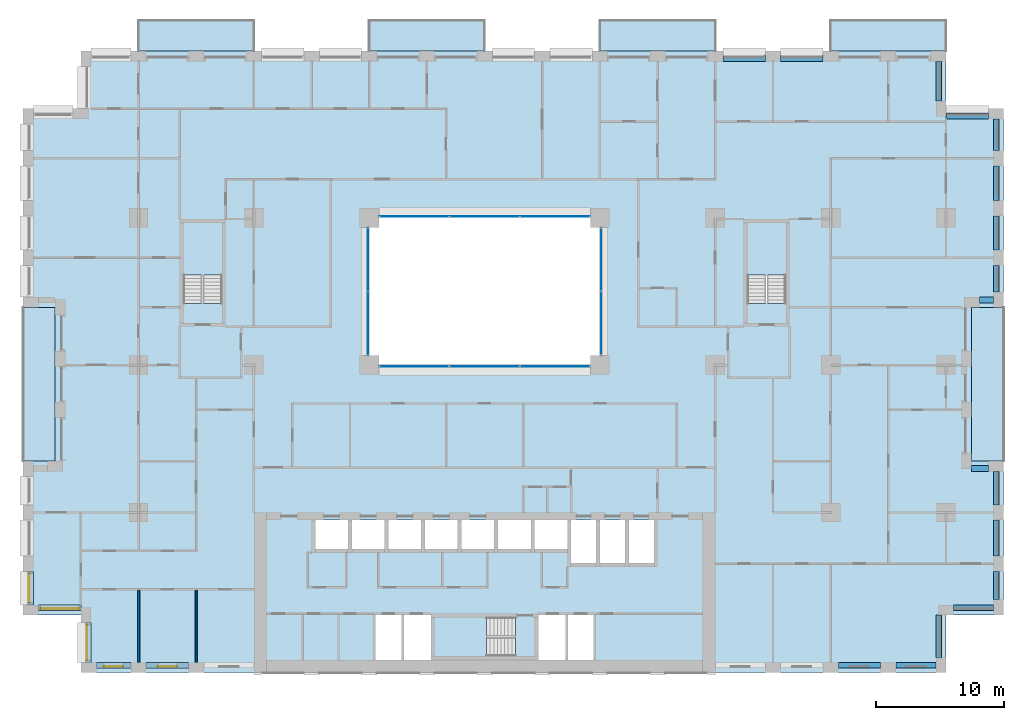
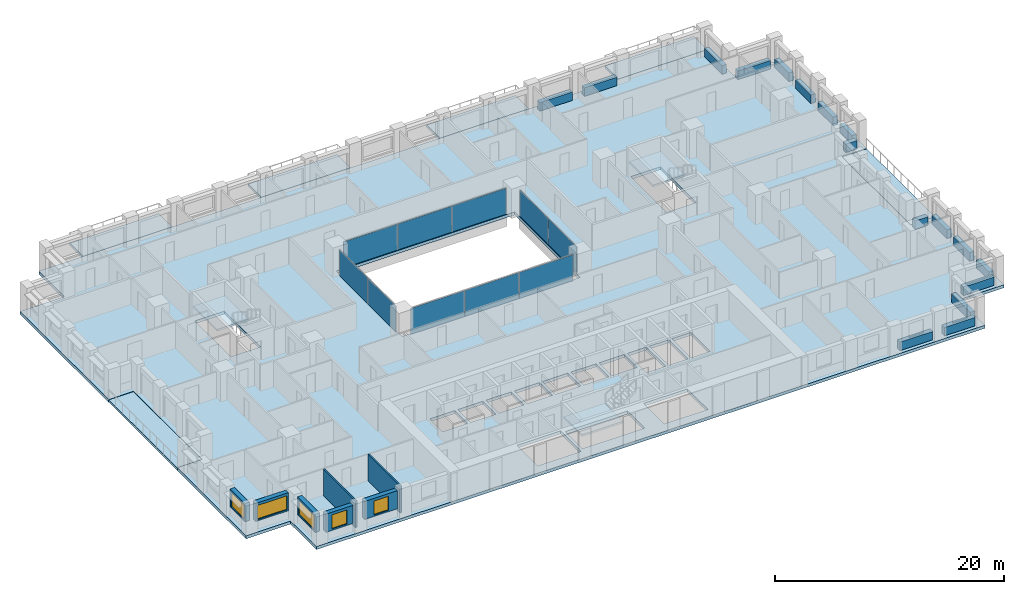
# One storey, part 8 of 20: 17 beams, 10 plates, 10 slabs, 7 walls, 5 windows, 5 openings, 7 elements without a shape of their own.
"""IFC4 building model written with IfcOpenShell, lengths in metres."""

from ifc_helpers import new_model, si_unit, direction, frame, frame_2d, origin, origin_2d, place, context, subcontext, project, spatial, polyline, rectangle, outline, extrude, material, layer, layer_set, material_profile, profile_set, type_object, element, fill, aggregate, save


model = new_model("IFC4")

# Units and contexts
model_context = context("Model", 3, precision=1e-05, world=origin(), true_north=direction((0.0, 1.0)))
body_context = subcontext(model_context, "Body", "Model", "MODEL_VIEW")
ifc_project = project(units=[si_unit("LENGTHUNIT", "METRE"), si_unit("AREAUNIT", "SQUARE_METRE"), si_unit("VOLUMEUNIT", "CUBIC_METRE"), si_unit("PLANEANGLEUNIT", "RADIAN"), si_unit("MASSUNIT", "GRAM", prefix="KILO")], contexts=[model_context])

# Site, building, storey
site_placement = place(None, origin())
site = spatial("IfcSite", under=ifc_project, at=site_placement, CompositionType="ELEMENT")
building_placement = place(site_placement, origin())
building = spatial("IfcBuilding", under=site, at=building_placement, Name="Brigalow Station Residences", CompositionType="ELEMENT")
storey_placement = place(building_placement, frame((0.0, 0.0, 54.14990234375)))
storey = spatial("IfcBuildingStorey", under=building, at=storey_placement, Name="L15", CompositionType="ELEMENT", Elevation=54.14990234375)

# Beams
ifc_material_1 = material(Name="Concrete C65", Category="concrete")
ifc_material_profile = material_profile(ifc_material_1, rectangle(XDim=0.449951171875, YDim=0.89990234375, at=origin_2d()), Name="RC450x900")
ifc_profile_set = profile_set([ifc_material_profile], Name="Concrete C65")
beam_type = type_object("IfcBeamType", Name="SPANDREL BEAM 450x900 C65", PredefinedType="SPANDREL", material=ifc_profile_set)
beam_1_placement = place(storey_placement, frame((63.60009765625, 0.574951171875, 0.4501953125), z_axis=(1.0, 0.0, 0.0), x_axis=(0.0, 1.0, 0.0)))
element("IfcBeam", 1, at=beam_1_placement, inside=storey, type_object=beam_type, Name="L15/spandrel/W-L15-7", PredefinedType="SPANDREL", context=body_context, shape_type="SweptSolid", body=[
    extrude(rectangle(XDim=0.449951171875, YDim=0.89990234375, at=origin_2d()), origin(), (0.0, 0.0, 1.0), 3.2998046875),
])
beam_2_placement = place(storey_placement, frame((68.10009765625, 0.574951171875, 0.4501953125), z_axis=(1.0, 0.0, 0.0), x_axis=(0.0, 1.0, 0.0)))
element("IfcBeam", 2, at=beam_2_placement, inside=storey, type_object=beam_type, Name="L15/spandrel/W-L15-8", PredefinedType="SPANDREL", context=body_context, shape_type="SweptSolid", body=[
    extrude(rectangle(XDim=0.449951171875, YDim=0.89990234375, at=origin_2d()), origin(), (0.0, 0.0, 1.0), 3.099853515625),
])
beam_3_placement = place(storey_placement, frame((71.425048828125, 1.199951171875, 0.4501953125), z_axis=(0.0, 1.0, 0.0), x_axis=(-1.0, 0.0, 0.0)))
element("IfcBeam", 3, at=beam_3_placement, inside=storey, type_object=beam_type, Name="L15/spandrel/W-L15-9", PredefinedType="SPANDREL", context=body_context, shape_type="SweptSolid", body=[
    extrude(rectangle(XDim=0.449951171875, YDim=0.89990234375, at=origin_2d()), origin(), (0.0, 0.0, 1.0), 3.300048828125),
])
beam_4_placement = place(storey_placement, frame((72.60009765625, 5.074951171875, 0.4501953125), z_axis=(1.0, 0.0, 0.0), x_axis=(0.0, 1.0, 0.0)))
element("IfcBeam", 4, at=beam_4_placement, inside=storey, type_object=beam_type, Name="L15/spandrel/W-L15-10", PredefinedType="SPANDREL", context=body_context, shape_type="SweptSolid", body=[
    extrude(rectangle(XDim=0.449951171875, YDim=0.89990234375, at=origin_2d()), origin(), (0.0, 0.0, 1.0), 3.099853515625),
])
beam_5_placement = place(storey_placement, frame((75.925048828125, 5.699951171875, 0.4501953125), z_axis=(0.0, 1.0, 0.0), x_axis=(-1.0, 0.0, 0.0)))
element("IfcBeam", 5, at=beam_5_placement, inside=storey, type_object=beam_type, Name="L15/spandrel/W-L15-11", PredefinedType="SPANDREL", context=body_context, shape_type="SweptSolid", body=[
    extrude(rectangle(XDim=0.449951171875, YDim=0.89990234375, at=origin_2d()), origin(), (0.0, 0.0, 1.0), 2.199951171875),
])
beam_6_placement = place(storey_placement, frame((75.925048828125, 9.10009765625, 0.4501953125), z_axis=(0.0, 1.0, 0.0), x_axis=(-1.0, 0.0, 0.0)))
element("IfcBeam", 6, at=beam_6_placement, inside=storey, type_object=beam_type, Name="L15/spandrel/W-L15-12", PredefinedType="SPANDREL", context=body_context, shape_type="SweptSolid", body=[
    extrude(rectangle(XDim=0.449951171875, YDim=0.89990234375, at=origin_2d()), origin(), (0.0, 0.0, 1.0), 2.7998046875),
])
beam_7_placement = place(storey_placement, frame((75.925048828125, 13.10009765625, 0.4501953125), z_axis=(0.0, 1.0, 0.0), x_axis=(-1.0, 0.0, 0.0)))
element("IfcBeam", 7, at=beam_7_placement, inside=storey, type_object=beam_type, Name="L15/spandrel/W-L15-13", PredefinedType="SPANDREL", context=body_context, shape_type="SweptSolid", body=[
    extrude(rectangle(XDim=0.449951171875, YDim=0.89990234375, at=origin_2d()), origin(), (0.0, 0.0, 1.0), 2.599853515625),
])
beam_8_placement = place(storey_placement, frame((75.300048828125, 15.925048828125, 0.4501953125), z_axis=(-1.0, 0.0, 0.0), x_axis=(0.0, -1.0, 0.0)))
element("IfcBeam", 8, at=beam_8_placement, inside=storey, type_object=beam_type, Name="L15/spandrel/W-L15-14", PredefinedType="SPANDREL", context=body_context, shape_type="SweptSolid", body=[
    extrude(rectangle(XDim=0.449951171875, YDim=0.89990234375, at=origin_2d()), origin(), (0.0, 0.0, 1.0), 1.300048828125),
])
beam_9_placement = place(storey_placement, frame((74.60009765625, 29.074951171875, 0.4501953125), z_axis=(1.0, 0.0, 0.0), x_axis=(0.0, 1.0, 0.0)))
element("IfcBeam", 9, at=beam_9_placement, inside=storey, type_object=beam_type, Name="L15/spandrel/W-L15-18", PredefinedType="SPANDREL", context=body_context, shape_type="SweptSolid", body=[
    extrude(rectangle(XDim=0.449951171875, YDim=0.89990234375, at=origin_2d()), origin(), (0.0, 0.0, 1.0), 1.099853515625),
])
beam_10_placement = place(storey_placement, frame((75.925048828125, 29.699951171875, 0.4501953125), z_axis=(0.0, 1.0, 0.0), x_axis=(-1.0, 0.0, 0.0)))
element("IfcBeam", 10, at=beam_10_placement, inside=storey, type_object=beam_type, Name="L15/spandrel/W-L15-19", PredefinedType="SPANDREL", context=body_context, shape_type="SweptSolid", body=[
    extrude(rectangle(XDim=0.449951171875, YDim=0.89990234375, at=origin_2d()), origin(), (0.0, 0.0, 1.0), 2.074951171875),
])
for number, where, z_axis, x_axis, name in (
    (11, (75.925048828125, 32.97509765625, 0.4501953125), (0.0, 1.0, 0.0), (-1.0, 0.0, 0.0), "L15/spandrel/W-L15-20"),
    (12, (75.925048828125, 36.85009765625, 0.4501953125), (0.0, 1.0, 0.0), (-1.0, 0.0, 0.0), "L15/spandrel/W-L15-21"),
):
    element("IfcBeam", number, at=place(storey_placement, frame(where, z_axis=z_axis, x_axis=x_axis)), inside=storey, type_object=beam_type, Name=name, PredefinedType="SPANDREL", context=body_context, shape_type="SweptSolid", body=[
        extrude(rectangle(XDim=0.449951171875, YDim=0.89990234375, at=origin_2d()), origin(), (0.0, 0.0, 1.0), 2.6748046875),
    ])
beam_11_placement = place(storey_placement, frame((75.925048828125, 40.72509765625, 0.4501953125), z_axis=(0.0, 1.0, 0.0), x_axis=(-1.0, 0.0, 0.0)))
element("IfcBeam", 13, at=beam_11_placement, inside=storey, type_object=beam_type, Name="L15/spandrel/W-L15-22", PredefinedType="SPANDREL", context=body_context, shape_type="SweptSolid", body=[
    extrude(rectangle(XDim=0.449951171875, YDim=0.89990234375, at=origin_2d()), origin(), (0.0, 0.0, 1.0), 2.474853515625),
])
beam_12_placement = place(storey_placement, frame((75.300048828125, 43.425048828125, 0.4501953125), z_axis=(-1.0, 0.0, 0.0), x_axis=(0.0, -1.0, 0.0)))
element("IfcBeam", 14, at=beam_12_placement, inside=storey, type_object=beam_type, Name="L15/spandrel/W-L15-23", PredefinedType="SPANDREL", context=body_context, shape_type="SweptSolid", body=[
    extrude(rectangle(XDim=0.449951171875, YDim=0.89990234375, at=origin_2d()), origin(), (0.0, 0.0, 1.0), 3.300048828125),
])
beam_13_placement = place(storey_placement, frame((71.425048828125, 44.60009765625, 0.4501953125), z_axis=(0.0, 1.0, 0.0), x_axis=(-1.0, 0.0, 0.0)))
element("IfcBeam", 15, at=beam_13_placement, inside=storey, type_object=beam_type, Name="L15/spandrel/W-L15-24", PredefinedType="SPANDREL", context=body_context, shape_type="SweptSolid", body=[
    extrude(rectangle(XDim=0.449951171875, YDim=0.89990234375, at=origin_2d()), origin(), (0.0, 0.0, 1.0), 3.099853515625),
])
for number, where, z_axis, x_axis, name in (
    (16, (62.39990234375, 47.925048828125, 0.4501953125), (-1.0, 0.0, 0.0), (0.0, -1.0, 0.0), "L15/spandrel/W-L15-27"),
    (17, (57.89990234375, 47.925048828125, 0.4501953125), (-1.0, 0.0, 0.0), (0.0, -1.0, 0.0), "L15/spandrel/W-L15-28"),
):
    element("IfcBeam", number, at=place(storey_placement, frame(where, z_axis=z_axis, x_axis=x_axis)), inside=storey, type_object=beam_type, Name=name, PredefinedType="SPANDREL", context=body_context, shape_type="SweptSolid", body=[
        extrude(rectangle(XDim=0.449951171875, YDim=0.89990234375, at=origin_2d()), origin(), (0.0, 0.0, 1.0), 3.2998046875),
    ])

# Curtain wall, plates
ifc_material_2 = material(Name="Aluminium", Category="aluminium")
ifc_layer_1 = layer(ifc_material_2, 0.14990234375)
ifc_layer_set_1 = layer_set([ifc_layer_1], Name="ATRIUM FIRE-RATED GLAZING CURTAIN WALL")
curtain_wall_type = type_object("IfcCurtainWallType", Name="ATRIUM FIRE-RATED GLAZING CURTAIN WALL", PredefinedType="NOTDEFINED", material=ifc_layer_set_1)
curtain_wall_1_placement = place(storey_placement, origin())
curtain_wall_1 = element("IfcCurtainWall", 18, at=curtain_wall_1_placement, inside=storey, type_object=curtain_wall_type, Name="L15/cw/atrium-S", PredefinedType="NOTDEFINED")
ifc_material_3 = material(Name="Fire-resisting laminated glazing, FRL -/60/-", Category="glass")
ifc_layer_2 = layer(ifc_material_3, 0.031982421875)
ifc_layer_set_2 = layer_set([ifc_layer_2], Name="ATRIUM FIRE-RATED GLAZING PANEL 32")
plate_type = type_object("IfcPlateType", Name="ATRIUM FIRE-RATED GLAZING PANEL 32", PredefinedType="CURTAIN_PANEL", material=ifc_layer_set_2)
plate_1_placement = place(storey_placement, frame((30.514892578125, 23.89990234375, 0.0), z_axis=(0.0, 0.0, 1.0), x_axis=(1.0, 0.0, 0.0)))
plate_1 = element("IfcPlate", 19, at=plate_1_placement, type_object=plate_type, Name="L15/cw/atrium-S/P00-00", PredefinedType="CURTAIN_PANEL", context=body_context, shape_type="SweptSolid", body=[
    extrude(rectangle(XDim=5.409912109375, YDim=0.031982421875, at=origin_2d()), origin(), (0.0, 0.0, 1.0), 2.77001953125),
])
plate_2_placement = place(storey_placement, frame((36.0, 23.89990234375, 0.0), z_axis=(0.0, 0.0, 1.0), x_axis=(1.0, 0.0, 0.0)))
plate_2 = element("IfcPlate", 20, at=plate_2_placement, type_object=plate_type, Name="L15/cw/atrium-S/P01-00", PredefinedType="CURTAIN_PANEL", context=body_context, shape_type="SweptSolid", body=[
    extrude(rectangle(XDim=5.43994140625, YDim=0.031982421875, at=origin_2d()), origin(), (0.0, 0.0, 1.0), 2.77001953125),
])
plate_3_placement = place(storey_placement, frame((41.485107421875, 23.89990234375, 0.0), z_axis=(0.0, 0.0, 1.0), x_axis=(1.0, 0.0, 0.0)))
plate_3 = element("IfcPlate", 21, at=plate_3_placement, type_object=plate_type, Name="L15/cw/atrium-S/P02-00", PredefinedType="CURTAIN_PANEL", context=body_context, shape_type="SweptSolid", body=[
    extrude(rectangle(XDim=5.409912109375, YDim=0.031982421875, at=origin_2d()), origin(), (0.0, 0.0, 1.0), 2.77001953125),
])
aggregate(curtain_wall_1, [plate_1, plate_2, plate_3])

curtain_wall_2_placement = place(storey_placement, origin())
curtain_wall_2 = element("IfcCurtainWall", 22, at=curtain_wall_2_placement, inside=storey, type_object=curtain_wall_type, Name="L15/cw/atrium-E", PredefinedType="NOTDEFINED")
plate_4_placement = place(storey_placement, frame((45.10009765625, 27.264892578125, 0.0), z_axis=(0.0, 0.0, 1.0), x_axis=(0.0, 1.0, 0.0)))
plate_4 = element("IfcPlate", 23, at=plate_4_placement, type_object=plate_type, Name="L15/cw/atrium-E/P00-00", PredefinedType="CURTAIN_PANEL", context=body_context, shape_type="SweptSolid", body=[
    extrude(rectangle(XDim=4.909912109375, YDim=0.031982421875, at=origin_2d()), origin(), (0.0, 0.0, 1.0), 2.77001953125),
])
plate_5_placement = place(storey_placement, frame((45.10009765625, 32.235107421875, 0.0), z_axis=(0.0, 0.0, 1.0), x_axis=(0.0, 1.0, 0.0)))
plate_5 = element("IfcPlate", 24, at=plate_5_placement, type_object=plate_type, Name="L15/cw/atrium-E/P01-00", PredefinedType="CURTAIN_PANEL", context=body_context, shape_type="SweptSolid", body=[
    extrude(rectangle(XDim=4.909912109375, YDim=0.031982421875, at=origin_2d()), origin(), (0.0, 0.0, 1.0), 2.77001953125),
])
aggregate(curtain_wall_2, [plate_4, plate_5])

curtain_wall_3_placement = place(storey_placement, origin())
curtain_wall_3 = element("IfcCurtainWall", 25, at=curtain_wall_3_placement, inside=storey, type_object=curtain_wall_type, Name="L15/cw/atrium-N", PredefinedType="NOTDEFINED")
plate_6_placement = place(storey_placement, frame((41.485107421875, 35.60009765625, 0.0), z_axis=(0.0, 0.0, 1.0), x_axis=(-1.0, 0.0, 0.0)))
plate_6 = element("IfcPlate", 26, at=plate_6_placement, type_object=plate_type, Name="L15/cw/atrium-N/P00-00", PredefinedType="CURTAIN_PANEL", context=body_context, shape_type="SweptSolid", body=[
    extrude(rectangle(XDim=5.409912109375, YDim=0.031982421875, at=origin_2d()), origin(), (0.0, 0.0, 1.0), 2.77001953125),
])
plate_7_placement = place(storey_placement, frame((36.0, 35.60009765625, 0.0), z_axis=(0.0, 0.0, 1.0), x_axis=(-1.0, 0.0, 0.0)))
plate_7 = element("IfcPlate", 27, at=plate_7_placement, type_object=plate_type, Name="L15/cw/atrium-N/P01-00", PredefinedType="CURTAIN_PANEL", context=body_context, shape_type="SweptSolid", body=[
    extrude(rectangle(XDim=5.43994140625, YDim=0.031982421875, at=origin_2d()), origin(), (0.0, 0.0, 1.0), 2.77001953125),
])
plate_8_placement = place(storey_placement, frame((30.514892578125, 35.60009765625, 0.0), z_axis=(0.0, 0.0, 1.0), x_axis=(-1.0, 0.0, 0.0)))
plate_8 = element("IfcPlate", 28, at=plate_8_placement, type_object=plate_type, Name="L15/cw/atrium-N/P02-00", PredefinedType="CURTAIN_PANEL", context=body_context, shape_type="SweptSolid", body=[
    extrude(rectangle(XDim=5.409912109375, YDim=0.031982421875, at=origin_2d()), origin(), (0.0, 0.0, 1.0), 2.77001953125),
])
aggregate(curtain_wall_3, [plate_6, plate_7, plate_8])

curtain_wall_4_placement = place(storey_placement, origin())
curtain_wall_4 = element("IfcCurtainWall", 29, at=curtain_wall_4_placement, inside=storey, type_object=curtain_wall_type, Name="L15/cw/atrium-W", PredefinedType="NOTDEFINED")
plate_9_placement = place(storey_placement, frame((26.89990234375, 32.235107421875, 0.0), z_axis=(0.0, 0.0, 1.0), x_axis=(0.0, -1.0, 0.0)))
plate_9 = element("IfcPlate", 30, at=plate_9_placement, type_object=plate_type, Name="L15/cw/atrium-W/P00-00", PredefinedType="CURTAIN_PANEL", context=body_context, shape_type="SweptSolid", body=[
    extrude(rectangle(XDim=4.909912109375, YDim=0.031982421875, at=origin_2d()), origin(), (0.0, 0.0, 1.0), 2.77001953125),
])
plate_10_placement = place(storey_placement, frame((26.89990234375, 27.264892578125, 0.0), z_axis=(0.0, 0.0, 1.0), x_axis=(0.0, -1.0, 0.0)))
plate_10 = element("IfcPlate", 31, at=plate_10_placement, type_object=plate_type, Name="L15/cw/atrium-W/P01-00", PredefinedType="CURTAIN_PANEL", context=body_context, shape_type="SweptSolid", body=[
    extrude(rectangle(XDim=4.909912109375, YDim=0.031982421875, at=origin_2d()), origin(), (0.0, 0.0, 1.0), 2.77001953125),
])
aggregate(curtain_wall_4, [plate_9, plate_10])

# Slabs
ifc_material_4 = material(Name="Concrete C50 precast", Category="concrete")
ifc_layer_3 = layer(ifc_material_4, 0.25)
ifc_layer_set_3 = layer_set([ifc_layer_3], Name="BALCONY SLAB 250")
slab_type_1 = type_object("IfcSlabType", Name="BALCONY SLAB 250", PredefinedType="USERDEFINED", material=ifc_layer_set_3)
slab_1_placement = place(storey_placement, frame((0.0, 0.0, -0.289794921875)))
element("IfcSlab", 32, at=slab_1_placement, inside=storey, type_object=slab_type_1, Name="L15/balcony/1", ObjectType="BALCONY", PredefinedType="USERDEFINED", context=body_context, shape_type="SweptSolid", body=[
    extrude(outline(polyline([(74.0, 16.5), (76.5, 16.5), (76.5, 28.5), (74.0, 28.5), (74.0, 16.5)])), origin(), (0.0, 0.0, 1.0), 0.25),
])
slab_2_placement = place(storey_placement, frame((0.0, 0.0, -0.289794921875)))
element("IfcSlab", 33, at=slab_2_placement, inside=storey, type_object=slab_type_1, Name="L15/balcony/2", ObjectType="BALCONY", PredefinedType="USERDEFINED", context=body_context, shape_type="SweptSolid", body=[
    extrude(outline(polyline([(72.0, 48.5), (72.0, 50.89990234375), (63.0, 50.89990234375), (63.0, 48.5), (72.0, 48.5)])), origin(), (0.0, 0.0, 1.0), 0.25),
])
slab_3_placement = place(storey_placement, frame((0.0, 0.0, -0.289794921875)))
element("IfcSlab", 34, at=slab_3_placement, inside=storey, type_object=slab_type_1, Name="L15/balcony/3", ObjectType="BALCONY", PredefinedType="USERDEFINED", context=body_context, shape_type="SweptSolid", body=[
    extrude(outline(polyline([(54.0, 48.5), (54.0, 50.89990234375), (45.0, 50.89990234375), (45.0, 48.5), (54.0, 48.5)])), origin(), (0.0, 0.0, 1.0), 0.25),
])
slab_4_placement = place(storey_placement, frame((0.0, 0.0, -0.289794921875)))
element("IfcSlab", 35, at=slab_4_placement, inside=storey, type_object=slab_type_1, Name="L15/balcony/4", ObjectType="BALCONY", PredefinedType="USERDEFINED", context=body_context, shape_type="SweptSolid", body=[
    extrude(outline(polyline([(36.0, 48.5), (36.0, 50.89990234375), (27.0, 50.89990234375), (27.0, 48.5), (36.0, 48.5)])), origin(), (0.0, 0.0, 1.0), 0.25),
])
slab_5_placement = place(storey_placement, frame((0.0, 0.0, -0.289794921875)))
element("IfcSlab", 36, at=slab_5_placement, inside=storey, type_object=slab_type_1, Name="L15/balcony/5", ObjectType="BALCONY", PredefinedType="USERDEFINED", context=body_context, shape_type="SweptSolid", body=[
    extrude(outline(polyline([(18.0, 48.5), (18.0, 50.89990234375), (9.0, 50.89990234375), (9.0, 48.5), (18.0, 48.5)])), origin(), (0.0, 0.0, 1.0), 0.25),
])
slab_6_placement = place(storey_placement, frame((0.0, 0.0, -0.289794921875)))
element("IfcSlab", 37, at=slab_6_placement, inside=storey, type_object=slab_type_1, Name="L15/balcony/6", ObjectType="BALCONY", PredefinedType="USERDEFINED", context=body_context, shape_type="SweptSolid", body=[
    extrude(outline(polyline([(2.5, 28.5), (0.0, 28.5), (0.0, 16.5), (2.5, 16.5), (2.5, 28.5)])), origin(), (0.0, 0.0, 1.0), 0.25),
])
ifc_material_5 = material(Name="Concrete C50", Category="concrete")
ifc_layer_4 = layer(ifc_material_5, 0.320068359375)
ifc_layer_set_4 = layer_set([ifc_layer_4], Name="POST-TENSIONED FLAT PLATE 320 C50")
slab_type_2 = type_object("IfcSlabType", Name="POST-TENSIONED FLAT PLATE 320 C50", PredefinedType="FLOOR", material=ifc_layer_set_4)
slab_7_placement = place(storey_placement, frame((0.0, 0.0, -0.31982421875)))
element("IfcSlab", 38, at=slab_7_placement, inside=storey, type_object=slab_type_2, Name="FLOOR SLAB L15", PredefinedType="FLOOR", context=body_context, shape_type="SweptSolid", body=[
    extrude(outline(polyline([(4.5, 0.0), (72.0, 0.0), (72.0, 4.5), (76.5, 4.5), (76.5, 16.5), (74.0, 16.5), (74.0, 28.5), (76.5, 28.5), (76.5, 44.0), (72.0, 44.0), (72.0, 48.5), (4.5, 48.5), (4.5, 44.0), (0.0, 44.0), (0.0, 28.5), (2.5, 28.5), (2.5, 16.5), (0.0, 16.5), (0.0, 4.5), (4.5, 4.5), (4.5, 0.0)]), holes=[polyline([(15.4951171875, 35.094970703125), (15.4951171875, 28.804931640625), (12.5048828125, 28.804931640625), (12.5048828125, 35.094970703125), (15.4951171875, 35.094970703125)]), polyline([(22.800048828125, 11.89990234375), (25.35009765625, 11.89990234375), (25.35009765625, 9.64990234375), (22.800048828125, 9.64990234375), (22.800048828125, 11.89990234375)]), polyline([(25.64990234375, 11.89990234375), (28.199951171875, 11.89990234375), (28.199951171875, 9.64990234375), (25.64990234375, 9.64990234375), (25.64990234375, 11.89990234375)]), polyline([(28.5, 11.89990234375), (31.050048828125, 11.89990234375), (31.050048828125, 9.64990234375), (28.5, 9.64990234375), (28.5, 11.89990234375)]), polyline([(29.60009765625, 1.0), (27.39990234375, 1.0), (27.39990234375, 4.60009765625), (29.60009765625, 4.60009765625), (31.800048828125, 4.60009765625), (31.800048828125, 1.0), (29.60009765625, 1.0)]), polyline([(31.35009765625, 11.89990234375), (33.89990234375, 11.89990234375), (33.89990234375, 9.64990234375), (31.35009765625, 9.64990234375), (31.35009765625, 11.89990234375)]), polyline([(32.10498046875, 4.294921875), (38.39501953125, 4.294921875), (38.39501953125, 1.304931640625), (32.10498046875, 1.304931640625), (32.10498046875, 4.294921875)]), polyline([(36.75, 11.89990234375), (36.75, 9.64990234375), (34.199951171875, 9.64990234375), (34.199951171875, 11.89990234375), (36.75, 11.89990234375)]), polyline([(37.050048828125, 11.89990234375), (39.60009765625, 11.89990234375), (39.60009765625, 9.64990234375), (37.050048828125, 9.64990234375), (37.050048828125, 11.89990234375)]), polyline([(39.89990234375, 11.89990234375), (42.449951171875, 11.89990234375), (42.449951171875, 9.64990234375), (39.89990234375, 9.64990234375), (39.89990234375, 11.89990234375)]), polyline([(42.39990234375, 1.0), (40.199951171875, 1.0), (40.199951171875, 4.60009765625), (42.39990234375, 4.60009765625), (44.60009765625, 4.60009765625), (44.60009765625, 1.0), (42.39990234375, 1.0)]), polyline([(42.75, 11.89990234375), (44.699951171875, 11.89990234375), (44.699951171875, 8.550048828125), (42.75, 8.550048828125), (42.75, 11.89990234375)]), polyline([(45.0, 11.89990234375), (46.949951171875, 11.89990234375), (46.949951171875, 8.550048828125), (45.0, 8.550048828125), (45.0, 11.89990234375)]), polyline([(45.0, 35.5), (45.0, 24.0), (27.0, 24.0), (27.0, 35.5), (45.0, 35.5)]), polyline([(47.25, 11.89990234375), (49.199951171875, 11.89990234375), (49.199951171875, 8.550048828125), (47.25, 8.550048828125), (47.25, 11.89990234375)]), polyline([(59.4951171875, 35.094970703125), (59.4951171875, 28.804931640625), (56.5048828125, 28.804931640625), (56.5048828125, 35.094970703125), (59.4951171875, 35.094970703125)])]), origin(), (0.0, 0.0, 1.0), 0.31982421875),
])

# Stair, slab
ifc_material_6 = material(Name="Concrete C50", Category="concrete")
stair_type = type_object("IfcStairType", Name="EXIT STAIR 1400 2 FLIGHT", PredefinedType="HALF_TURN_STAIR", material=ifc_material_6)
stair_1_placement = place(storey_placement, origin())
stair_1 = element("IfcStair", 39, at=stair_1_placement, inside=storey, type_object=stair_type, Name="EXIT STAIR S2 L15", PredefinedType="HALF_TURN_STAIR")
ifc_material_7 = material(Name="Concrete C50", Category="concrete")
ifc_layer_5 = layer(ifc_material_7, 0.199951171875)
ifc_layer_set_5 = layer_set([ifc_layer_5], Name="STAIR LANDING 200")
slab_type_3 = type_object("IfcSlabType", Name="STAIR LANDING 200", PredefinedType="LANDING", material=ifc_layer_set_5)
slab_8_placement = place(storey_placement, frame((0.0, 0.0, 1.375)))
slab_8 = element("IfcSlab", 40, at=slab_8_placement, type_object=slab_type_3, Name="ST-2 landing 1", PredefinedType="LANDING", context=body_context, shape_type="SweptSolid", body=[
    extrude(outline(polyline([(32.0, 1.199951171875), (36.159912109375, 1.199951171875), (36.159912109375, 4.39990234375), (32.0, 4.39990234375), (32.0, 1.199951171875)])), origin(), (0.0, 0.0, 1.0), 0.2001953125),
])
aggregate(stair_1, [slab_8])

stair_2_placement = place(storey_placement, origin())
stair_2 = element("IfcStair", 41, at=stair_2_placement, inside=storey, type_object=stair_type, Name="EXIT STAIR S1 L15", PredefinedType="HALF_TURN_STAIR")
slab_9_placement = place(storey_placement, frame((0.0, 0.0, 1.375)))
slab_9 = element("IfcSlab", 42, at=slab_9_placement, type_object=slab_type_3, Name="ST-1 landing 1", PredefinedType="LANDING", context=body_context, shape_type="SweptSolid", body=[
    extrude(outline(polyline([(12.39990234375, 31.0400390625), (15.60009765625, 31.0400390625), (15.60009765625, 35.199951171875), (12.39990234375, 35.199951171875), (12.39990234375, 31.0400390625)])), origin(), (0.0, 0.0, 1.0), 0.2001953125),
])
aggregate(stair_2, [slab_9])

stair_3_placement = place(storey_placement, origin())
stair_3 = element("IfcStair", 43, at=stair_3_placement, inside=storey, type_object=stair_type, Name="EXIT STAIR S3 L15", PredefinedType="HALF_TURN_STAIR")
slab_10_placement = place(storey_placement, frame((0.0, 0.0, 1.375)))
slab_10 = element("IfcSlab", 44, at=slab_10_placement, type_object=slab_type_3, Name="ST-3 landing 1", PredefinedType="LANDING", context=body_context, shape_type="SweptSolid", body=[
    extrude(outline(polyline([(56.39990234375, 31.0400390625), (59.60009765625, 31.0400390625), (59.60009765625, 35.199951171875), (56.39990234375, 35.199951171875), (56.39990234375, 31.0400390625)])), origin(), (0.0, 0.0, 1.0), 0.2001953125),
])
aggregate(stair_3, [slab_10])

# Wall, opening, window
ifc_material_8 = material(Name="Clay brick masonry", Category="masonry")
ifc_layer_6 = layer(ifc_material_8, 0.449951171875)
ifc_layer_set_6 = layer_set([ifc_layer_6], Name="BRICK INFILL WALL 450")
wall_type_1 = type_object("IfcWallType", Name="BRICK INFILL WALL 450", PredefinedType="SOLIDWALL", material=ifc_layer_set_6)
wall_1_placement = place(storey_placement, frame((5.699951171875, 0.574951171875, 0.900146484375), z_axis=(0.0, 0.0, 1.0), x_axis=(1.0, 0.0, 0.0)))
wall_1 = element("IfcWall", 45, at=wall_1_placement, inside=storey, type_object=wall_type_1, Name="L15/ewall/W-L15-1", PredefinedType="SOLIDWALL", context=body_context, shape_type="SweptSolid", body=[
    extrude(rectangle(XDim=2.699951171875, YDim=0.449951171875, at=frame_2d((1.35009765625, 0.0))), origin(), (0.0, 0.0, 1.0), 1.929931640625),
])
opening_1_placement = place(wall_1_placement, frame((0.60009765625, 0.0, 0.14990234375)))
opening_1 = element("IfcOpeningElement", 46, at=opening_1_placement, cuts=wall_1, Name="Opening WT-1", PredefinedType="OPENING", context=body_context, shape_type="SweptSolid", body=[
    extrude(rectangle(XDim=1.5, YDim=1.5, at=frame_2d((0.75, 0.75))), frame((0.0, 0.23486328125, 0.0), z_axis=(0.0, -1.0, 0.0), x_axis=(1.0, 0.0, 0.0)), (0.0, 0.0, 1.0), 0.469970703125),
])
ifc_material_9 = material(Name="Anodised aluminium frame with double glazing", Category="aluminium")
window_type_1 = type_object("IfcWindowType", Name="WINDOW 1500x1500", PartitioningType="SINGLE_PANEL", PredefinedType="WINDOW", material=ifc_material_9)
window_1_placement = place(opening_1_placement, origin())
window_1 = element("IfcWindow", 47, at=window_1_placement, inside=storey, type_object=window_type_1, Name="L15/window/W-L15-1", OverallHeight=1.5, OverallWidth=1.5, PartitioningType="SINGLE_PANEL", PredefinedType="WINDOW", context=body_context, shape_type="SweptSolid", body=[
    extrude(rectangle(XDim=1.5, YDim=1.5, at=frame_2d((0.75, 0.75))), frame((0.0, -0.06494140625, 0.0), z_axis=(0.0, -1.0, 0.0), x_axis=(1.0, 0.0, 0.0)), (0.0, 0.0, 1.0), 0.06005859375),
])
fill(opening_1, window_1)

wall_2_placement = place(storey_placement, frame((9.60009765625, 0.574951171875, 0.900146484375), z_axis=(0.0, 0.0, 1.0), x_axis=(1.0, 0.0, 0.0)))
wall_2 = element("IfcWall", 48, at=wall_2_placement, inside=storey, type_object=wall_type_1, Name="L15/ewall/W-L15-2", PredefinedType="SOLIDWALL", context=body_context, shape_type="SweptSolid", body=[
    extrude(rectangle(XDim=3.2998046875, YDim=0.449951171875, at=frame_2d((1.64990234375, 0.0))), origin(), (0.0, 0.0, 1.0), 1.929931640625),
])
opening_2_placement = place(wall_2_placement, frame((0.89990234375, 0.0, 0.14990234375)))
opening_2 = element("IfcOpeningElement", 49, at=opening_2_placement, cuts=wall_2, Name="Opening WT-1", PredefinedType="OPENING", context=body_context, shape_type="SweptSolid", body=[
    extrude(rectangle(XDim=1.5, YDim=1.5, at=frame_2d((0.75, 0.75))), frame((0.0, 0.23486328125, 0.0), z_axis=(0.0, -1.0, 0.0), x_axis=(1.0, 0.0, 0.0)), (0.0, 0.0, 1.0), 0.469970703125),
])
window_2_placement = place(opening_2_placement, origin())
window_2 = element("IfcWindow", 50, at=window_2_placement, inside=storey, type_object=window_type_1, Name="L15/window/W-L15-2", OverallHeight=1.5, OverallWidth=1.5, PartitioningType="SINGLE_PANEL", PredefinedType="WINDOW", context=body_context, shape_type="SweptSolid", body=[
    extrude(rectangle(XDim=1.5, YDim=1.5, at=frame_2d((0.75, 0.75))), frame((0.0, -0.06494140625, 0.0), z_axis=(0.0, -1.0, 0.0), x_axis=(1.0, 0.0, 0.0)), (0.0, 0.0, 1.0), 0.06005859375),
])
fill(opening_2, window_2)

wall_3_placement = place(storey_placement, frame((0.574951171875, 7.89990234375, 0.900146484375), z_axis=(0.0, 0.0, 1.0), x_axis=(0.0, -1.0, 0.0)))
wall_3 = element("IfcWall", 51, at=wall_3_placement, inside=storey, type_object=wall_type_1, Name="L15/ewall/W-L15-53", PredefinedType="SOLIDWALL", context=body_context, shape_type="SweptSolid", body=[
    extrude(rectangle(XDim=2.599853515625, YDim=0.449951171875, at=frame_2d((1.2998046875, 0.0))), origin(), (0.0, 0.0, 1.0), 1.929931640625),
])
opening_3_placement = place(wall_3_placement, frame((0.175048828125, 0.0, 0.14990234375)))
opening_3 = element("IfcOpeningElement", 52, at=opening_3_placement, cuts=wall_3, Name="Opening WT-6", PredefinedType="OPENING", context=body_context, shape_type="SweptSolid", body=[
    extrude(rectangle(XDim=2.25, YDim=1.5, at=frame_2d((1.125, 0.75))), frame((0.0, 0.23486328125, 0.0), z_axis=(0.0, -1.0, 0.0), x_axis=(1.0, 0.0, 0.0)), (0.0, 0.0, 1.0), 0.469970703125),
])
ifc_material_10 = material(Name="Anodised aluminium frame with double glazing", Category="aluminium")
window_type_2 = type_object("IfcWindowType", Name="WINDOW 2250x1500", PartitioningType="SINGLE_PANEL", PredefinedType="WINDOW", material=ifc_material_10)
window_3_placement = place(opening_3_placement, origin())
window_3 = element("IfcWindow", 53, at=window_3_placement, inside=storey, type_object=window_type_2, Name="L15/window/W-L15-53", OverallHeight=1.5, OverallWidth=2.25, PartitioningType="SINGLE_PANEL", PredefinedType="WINDOW", context=body_context, shape_type="SweptSolid", body=[
    extrude(rectangle(XDim=2.25, YDim=1.5, at=frame_2d((1.125, 0.75))), frame((0.0, -0.06494140625, 0.0), z_axis=(0.0, -1.0, 0.0), x_axis=(1.0, 0.0, 0.0)), (0.0, 0.0, 1.0), 0.06005859375),
])
fill(opening_3, window_3)

wall_4_placement = place(storey_placement, frame((1.199951171875, 5.074951171875, 0.900146484375), z_axis=(0.0, 0.0, 1.0), x_axis=(1.0, 0.0, 0.0)))
wall_4 = element("IfcWall", 54, at=wall_4_placement, inside=storey, type_object=wall_type_1, Name="L15/ewall/W-L15-54", PredefinedType="SOLIDWALL", context=body_context, shape_type="SweptSolid", body=[
    extrude(rectangle(XDim=3.300048828125, YDim=0.449951171875, at=frame_2d((1.64990234375, 0.0))), origin(), (0.0, 0.0, 1.0), 1.929931640625),
])
opening_4_placement = place(wall_4_placement, frame((0.14990234375, 0.0, 0.14990234375)))
opening_4 = element("IfcOpeningElement", 55, at=opening_4_placement, cuts=wall_4, Name="Opening WT-2", PredefinedType="OPENING", context=body_context, shape_type="SweptSolid", body=[
    extrude(rectangle(XDim=3.0, YDim=1.5, at=frame_2d((1.5, 0.75))), frame((0.0, 0.23486328125, 0.0), z_axis=(0.0, -1.0, 0.0), x_axis=(1.0, 0.0, 0.0)), (0.0, 0.0, 1.0), 0.469970703125),
])
ifc_material_11 = material(Name="Anodised aluminium frame with double glazing", Category="aluminium")
window_type_3 = type_object("IfcWindowType", Name="WINDOW 3000x1500", PartitioningType="SINGLE_PANEL", PredefinedType="WINDOW", material=ifc_material_11)
window_4_placement = place(opening_4_placement, origin())
window_4 = element("IfcWindow", 56, at=window_4_placement, inside=storey, type_object=window_type_3, Name="L15/window/W-L15-54", OverallHeight=1.5, OverallWidth=3.0, PartitioningType="SINGLE_PANEL", PredefinedType="WINDOW", context=body_context, shape_type="SweptSolid", body=[
    extrude(rectangle(XDim=3.0, YDim=1.5, at=frame_2d((1.5, 0.75))), frame((0.0, -0.06494140625, 0.0), z_axis=(0.0, -1.0, 0.0), x_axis=(1.0, 0.0, 0.0)), (0.0, 0.0, 1.0), 0.06005859375),
])
fill(opening_4, window_4)

wall_5_placement = place(storey_placement, frame((5.074951171875, 3.89990234375, 0.900146484375), z_axis=(0.0, 0.0, 1.0), x_axis=(0.0, -1.0, 0.0)))
wall_5 = element("IfcWall", 57, at=wall_5_placement, inside=storey, type_object=wall_type_1, Name="L15/ewall/W-L15-55", PredefinedType="SOLIDWALL", context=body_context, shape_type="SweptSolid", body=[
    extrude(rectangle(XDim=3.099853515625, YDim=0.449951171875, at=frame_2d((1.5498046875, 0.0))), origin(), (0.0, 0.0, 1.0), 1.929931640625),
])
opening_5_placement = place(wall_5_placement, frame((0.175048828125, 0.0, 0.14990234375)))
opening_5 = element("IfcOpeningElement", 58, at=opening_5_placement, cuts=wall_5, Name="Opening WT-3", PredefinedType="OPENING", context=body_context, shape_type="SweptSolid", body=[
    extrude(rectangle(XDim=2.75, YDim=1.5, at=frame_2d((1.375, 0.75))), frame((0.0, 0.23486328125, 0.0), z_axis=(0.0, -1.0, 0.0), x_axis=(1.0, 0.0, 0.0)), (0.0, 0.0, 1.0), 0.469970703125),
])
ifc_material_12 = material(Name="Anodised aluminium frame with double glazing", Category="aluminium")
window_type_4 = type_object("IfcWindowType", Name="WINDOW 2750x1500", PartitioningType="SINGLE_PANEL", PredefinedType="WINDOW", material=ifc_material_12)
window_5_placement = place(opening_5_placement, origin())
window_5 = element("IfcWindow", 59, at=window_5_placement, inside=storey, type_object=window_type_4, Name="L15/window/W-L15-55", OverallHeight=1.5, OverallWidth=2.75, PartitioningType="SINGLE_PANEL", PredefinedType="WINDOW", context=body_context, shape_type="SweptSolid", body=[
    extrude(rectangle(XDim=2.75, YDim=1.5, at=frame_2d((1.375, 0.75))), frame((0.0, -0.06494140625, 0.0), z_axis=(0.0, -1.0, 0.0), x_axis=(1.0, 0.0, 0.0)), (0.0, 0.0, 1.0), 0.06005859375),
])
fill(opening_5, window_5)

# Walls
ifc_material_13 = material(Name="Plasterboard on steel stud partition", Category="steel")
ifc_layer_7 = layer(ifc_material_13, 0.14990234375)
ifc_layer_set_7 = layer_set([ifc_layer_7], Name="FLAT PARTITION 150")
wall_type_2 = type_object("IfcWallType", Name="FLAT PARTITION 150", PredefinedType="PARTITIONING", material=ifc_layer_set_7)
for number, where, z_axis, x_axis, name in (
    (60, (9.0, 0.800048828125, 0.0), (0.0, 0.0, 1.0), (0.0, 1.0, 0.0), "PW-1E48"),
    (61, (13.5, 0.800048828125, 0.0), (0.0, 0.0, 1.0), (0.0, 1.0, 0.0), "PW-1E56"),
):
    element("IfcWall", number, at=place(storey_placement, frame(where, z_axis=z_axis, x_axis=x_axis)), inside=storey, type_object=wall_type_2, Name=name, PredefinedType="PARTITIONING", context=body_context, shape_type="SweptSolid", body=[
        extrude(rectangle(XDim=5.625, YDim=0.14990234375, at=frame_2d((2.8125, 0.0))), origin(), (0.0, 0.0, 1.0), 2.830078125),
    ])

save(model, "model.ifc")
